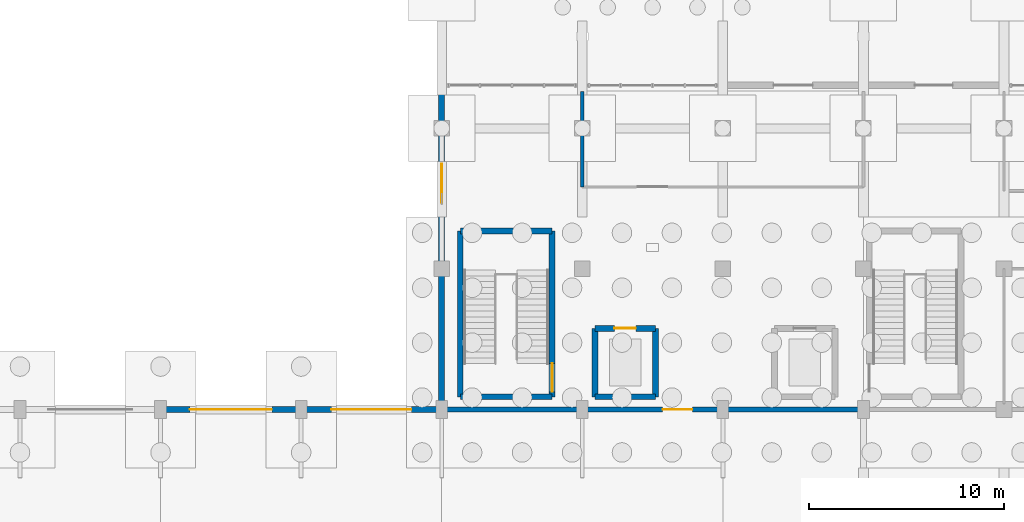
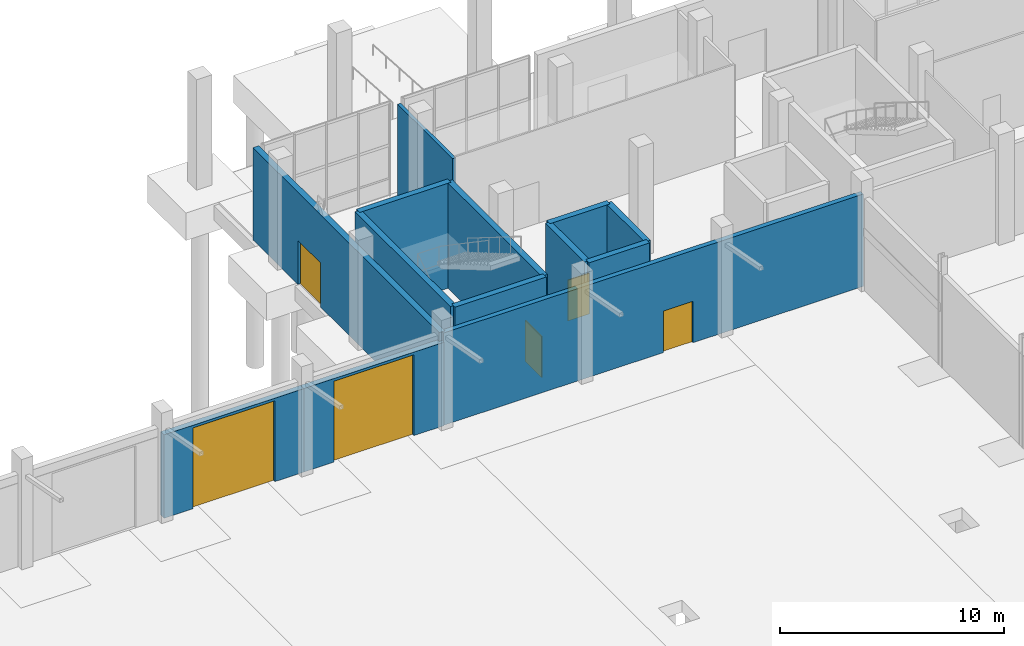
# One storey, part 34 of 45: 13 walls, 6 doors, 6 openings.
"""IFC4 building model written with IfcOpenShell, lengths in metres."""

from ifc_helpers import new_model, si_unit, direction, frame, frame_2d, origin, place, context, subcontext, project, spatial, rectangle, extrude, material, layer, layer_set, type_object, element, fill, save


model = new_model("IFC4")

# Units and contexts
model_context = context("Model", 3, precision=1e-05, world=origin(), true_north=direction((0.0, 1.0)))
body_context = subcontext(model_context, "Body", "Model", "MODEL_VIEW")
ifc_project = project(units=[si_unit("LENGTHUNIT", "METRE"), si_unit("AREAUNIT", "SQUARE_METRE"), si_unit("VOLUMEUNIT", "CUBIC_METRE"), si_unit("PLANEANGLEUNIT", "RADIAN"), si_unit("MASSUNIT", "GRAM", prefix="KILO")], contexts=[model_context])

# Site, building, storey
site_placement = place(None, origin())
site = spatial("IfcSite", under=ifc_project, at=site_placement, CompositionType="ELEMENT")
building_placement = place(site_placement, origin())
building = spatial("IfcBuilding", under=site, at=building_placement, Name="Yarey Park Central Fire Station", CompositionType="ELEMENT")
storey_placement = place(building_placement, origin())
storey = spatial("IfcBuildingStorey", under=building, at=storey_placement, Name="L01", CompositionType="ELEMENT", Elevation=0.0)

# Wall, opening, door
ifc_material_1 = material(Name="Concrete C35/45", Category="concrete")
ifc_layer_1 = layer(ifc_material_1, 0.304931640625)
ifc_layer_set_1 = layer_set([ifc_layer_1], Name="Concrete C35/45")
wall_type_1 = type_object("IfcWallType", Name="ENV_WALL_CMU305", PredefinedType="STANDARD", material=ifc_layer_set_1)
wall_1_placement = place(storey_placement, frame((100.800048828125, 93.60009765625, 0.0), z_axis=(0.0, 0.0, 1.0), x_axis=(1.0, 0.0, 0.0)))
wall_1 = element("IfcWall", 1, at=wall_1_placement, inside=storey, type_object=wall_type_1, Name="EW_L01_V2_N_07", PredefinedType="STANDARD", context=body_context, shape_type="SweptSolid", body=[
    extrude(rectangle(XDim=7.199951171875, YDim=0.304931640625, at=frame_2d((3.60009765625, 0.0))), origin(), (0.0, 0.0, 1.0), 4.5400390625),
])
opening_1_placement = place(wall_1_placement, frame((1.5, 0.0, 0.0)))
opening_1 = element("IfcOpeningElement", 2, at=opening_1_placement, cuts=wall_1, Name="Opening VD-42", PredefinedType="OPENING", context=body_context, shape_type="SweptSolid", body=[
    extrude(rectangle(XDim=4.199951171875, YDim=4.39990234375, at=frame_2d((2.10009765625, 2.199951171875))), frame((0.0, 0.162353515625, 0.0), z_axis=(0.0, -1.0, 0.0), x_axis=(1.0, 0.0, 0.0)), (0.0, 0.0, 1.0), 0.324951171875),
])
ifc_material_2 = material(Name="Anodized Aluminium Frame", Category="aluminium")
door_type_1 = type_object("IfcDoorType", Name="ENV_GATE_VD4200", OperationType="NOTDEFINED", PredefinedType="GATE", material=ifc_material_2)
door_1_placement = place(opening_1_placement, origin())
door_1 = element("IfcDoor", 3, at=door_1_placement, inside=storey, type_object=door_type_1, Name="GATE_VD_07", OperationType="FOLDING_TO_LEFT", OverallHeight=4.39990234375, OverallWidth=4.199951171875, PredefinedType="GATE", context=body_context, shape_type="SweptSolid", body=[
    extrude(rectangle(XDim=4.199951171875, YDim=4.39990234375, at=frame_2d((2.10009765625, 2.199951171875))), frame((0.0, 0.02490234375, 0.0), z_axis=(0.0, -1.0, 0.0), x_axis=(1.0, 0.0, 0.0)), (0.0, 0.0, 1.0), 0.050048828125),
])
fill(opening_1, door_1)

wall_2_placement = place(storey_placement, frame((108.0, 93.60009765625, 0.0), z_axis=(0.0, 0.0, 1.0), x_axis=(1.0, 0.0, 0.0)))
wall_2 = element("IfcWall", 4, at=wall_2_placement, inside=storey, type_object=wall_type_1, Name="EW_L01_V2_N_08", PredefinedType="STANDARD", context=body_context, shape_type="SweptSolid", body=[
    extrude(rectangle(XDim=7.199951171875, YDim=0.304931640625, at=frame_2d((3.60009765625, 0.0))), origin(), (0.0, 0.0, 1.0), 4.5400390625),
])
opening_2_placement = place(wall_2_placement, frame((1.550048828125, 0.0, 0.0)))
opening_2 = element("IfcOpeningElement", 5, at=opening_2_placement, cuts=wall_2, Name="Opening VD-41", PredefinedType="OPENING", context=body_context, shape_type="SweptSolid", body=[
    extrude(rectangle(XDim=4.10009765625, YDim=4.39990234375, at=frame_2d((2.050048828125, 2.199951171875))), frame((0.0, 0.162353515625, 0.0), z_axis=(0.0, -1.0, 0.0), x_axis=(1.0, 0.0, 0.0)), (0.0, 0.0, 1.0), 0.324951171875),
])
door_type_2 = type_object("IfcDoorType", Name="ENV_GATE_VD4100", OperationType="NOTDEFINED", PredefinedType="GATE", material=ifc_material_2)
door_2_placement = place(opening_2_placement, origin())
door_2 = element("IfcDoor", 6, at=door_2_placement, inside=storey, type_object=door_type_2, Name="GATE_VD_08", OperationType="FOLDING_TO_LEFT", OverallHeight=4.39990234375, OverallWidth=4.10009765625, PredefinedType="GATE", context=body_context, shape_type="SweptSolid", body=[
    extrude(rectangle(XDim=4.10009765625, YDim=4.39990234375, at=frame_2d((2.050048828125, 2.199951171875))), frame((0.0, 0.02490234375, 0.0), z_axis=(0.0, -1.0, 0.0), x_axis=(1.0, 0.0, 0.0)), (0.0, 0.0, 1.0), 0.050048828125),
])
fill(opening_2, door_2)

wall_3_placement = place(storey_placement, frame((115.199951171875, 93.60009765625, 0.0), z_axis=(0.0, 0.0, 1.0), x_axis=(0.0, 1.0, 0.0)))
wall_3 = element("IfcWall", 7, at=wall_3_placement, inside=storey, type_object=wall_type_1, Name="EW_L01_V4_W", PredefinedType="STANDARD", context=body_context, shape_type="SweptSolid", body=[
    extrude(rectangle(XDim=16.599853515625, YDim=0.304931640625, at=frame_2d((8.2998046875, 0.0))), origin(), (0.0, 0.0, 1.0), 5.02197265625),
])
opening_3_placement = place(wall_3_placement, frame((10.60009765625, 0.0, 0.0)))
opening_3 = element("IfcOpeningElement", 8, at=opening_3_placement, cuts=wall_3, Name="Opening ED-200", PredefinedType="OPENING", context=body_context, shape_type="SweptSolid", body=[
    extrude(rectangle(XDim=2.0, YDim=2.39990234375, at=frame_2d((1.0, 1.199951171875))), frame((0.0, 0.162353515625, 0.0), z_axis=(0.0, -1.0, 0.0), x_axis=(1.0, 0.0, 0.0)), (0.0, 0.0, 1.0), 0.324951171875),
])
ifc_material_3 = material(Name="Galvanized Hollow Metal Door", Category="metal")
door_type_3 = type_object("IfcDoorType", Name="ENV_DOOR_EX2000", OperationType="NOTDEFINED", PredefinedType="DOOR", material=ifc_material_3)
door_3_placement = place(opening_3_placement, origin())
door_3 = element("IfcDoor", 9, at=door_3_placement, inside=storey, type_object=door_type_3, Name="DOOR_L01_EX_E01", OperationType="SINGLE_SWING_RIGHT", OverallHeight=2.39990234375, OverallWidth=2.0, PredefinedType="DOOR", context=body_context, shape_type="SweptSolid", body=[
    extrude(rectangle(XDim=2.0, YDim=2.39990234375, at=frame_2d((1.0, 1.199951171875))), frame((0.0, 0.02490234375, 0.0), z_axis=(0.0, -1.0, 0.0), x_axis=(1.0, 0.0, 0.0)), (0.0, 0.0, 1.0), 0.050048828125),
])
fill(opening_3, door_3)

# Wall
ifc_material_4 = material(Name="Concrete C40/50", Category="concrete")
ifc_layer_2 = layer(ifc_material_4, 0.27001953125)
ifc_layer_set_2 = layer_set([ifc_layer_2], Name="Concrete C40/50")
wall_type_2 = type_object("IfcWallType", Name="INT_CORE_RC270", PredefinedType="SHEAR", material=ifc_layer_set_2)
wall_4_placement = place(storey_placement, frame((123.050048828125, 94.25, 0.0), z_axis=(0.0, 0.0, 1.0), x_axis=(1.0, 0.0, 0.0)))
element("IfcWall", 10, at=wall_4_placement, inside=storey, type_object=wall_type_2, Name="LWALL_C1_L01_S", PredefinedType="SHEAR", context=body_context, shape_type="SweptSolid", body=[
    extrude(rectangle(XDim=3.099853515625, YDim=0.300048828125, at=frame_2d((1.5498046875, 0.0))), origin(), (0.0, 0.0, 1.0), 5.715087890625),
])

# Wall, opening, door
wall_5_placement = place(storey_placement, frame((126.14990234375, 97.75, 0.0), z_axis=(0.0, 0.0, 1.0), x_axis=(-1.0, 0.0, 0.0)))
wall_5 = element("IfcWall", 11, at=wall_5_placement, inside=storey, type_object=wall_type_2, Name="LWALL_C1_L01_N", PredefinedType="SHEAR", context=body_context, shape_type="SweptSolid", body=[
    extrude(rectangle(XDim=3.099853515625, YDim=0.300048828125, at=frame_2d((1.5498046875, 0.0))), origin(), (0.0, 0.0, 1.0), 5.715087890625),
])
opening_4_placement = place(wall_5_placement, frame((1.0, 0.0, 0.0)))
opening_4 = element("IfcOpeningElement", 12, at=opening_4_placement, cuts=wall_5, Name="Opening LD-11", PredefinedType="OPENING", context=body_context, shape_type="SweptSolid", body=[
    extrude(rectangle(XDim=1.10009765625, YDim=2.219970703125, at=frame_2d((0.550048828125, 1.10986328125))), frame((0.0, 0.159912109375, 0.0), z_axis=(0.0, -1.0, 0.0), x_axis=(1.0, 0.0, 0.0)), (0.0, 0.0, 1.0), 0.320068359375),
])
ifc_material_5 = material(Name="Stainless Steel AISI 316L", Category="steel")
door_type_4 = type_object("IfcDoorType", Name="DR_LD_1100", OperationType="NOTDEFINED", PredefinedType="DOOR", material=ifc_material_5)
door_4_placement = place(opening_4_placement, origin())
door_4 = element("IfcDoor", 13, at=door_4_placement, inside=storey, type_object=door_type_4, Name="Lift Landing Door LF-1-L01", OperationType="SLIDING_TO_LEFT", OverallHeight=2.219970703125, OverallWidth=1.10009765625, PredefinedType="DOOR", context=body_context, shape_type="SweptSolid", body=[
    extrude(rectangle(XDim=1.10009765625, YDim=2.219970703125, at=frame_2d((0.550048828125, 1.10986328125))), frame((0.0, 0.02490234375, 0.0), z_axis=(0.0, -1.0, 0.0), x_axis=(1.0, 0.0, 0.0)), (0.0, 0.0, 1.0), 0.050048828125),
])
fill(opening_4, door_4)

# Walls
for number, where, z_axis, x_axis, name in (
    (14, (123.050048828125, 97.75, 0.0), (0.0, 0.0, 1.0), (0.0, -1.0, 0.0), "LWALL_C1_L01_W"),
    (15, (126.14990234375, 94.25, 0.0), (0.0, 0.0, 1.0), (0.0, 1.0, 0.0), "LWALL_C1_L01_E"),
):
    element("IfcWall", number, at=place(storey_placement, frame(where, z_axis=z_axis, x_axis=x_axis)), inside=storey, type_object=wall_type_2, Name=name, PredefinedType="SHEAR", context=body_context, shape_type="SweptSolid", body=[
        extrude(rectangle(XDim=3.5, YDim=0.300048828125, at=frame_2d((1.75, 0.0))), origin(), (0.0, 0.0, 1.0), 5.715087890625),
    ])
ifc_layer_3 = layer(ifc_material_4, 0.300048828125)
ifc_layer_set_3 = layer_set([ifc_layer_3], Name="Concrete C40/50")
wall_type_3 = type_object("IfcWallType", Name="INT_CORE_RC300", PredefinedType="SHEAR", material=ifc_layer_set_3)
for number, where, z_axis, x_axis, name in (
    (16, (116.14990234375, 94.25, 0.0), (0.0, 0.0, 1.0), (1.0, 0.0, 0.0), "CWALL_C1_L01_S"),
    (17, (120.85009765625, 102.75, 0.0), (0.0, 0.0, 1.0), (-1.0, 0.0, 0.0), "CWALL_C1_L01_N"),
):
    element("IfcWall", number, at=place(storey_placement, frame(where, z_axis=z_axis, x_axis=x_axis)), inside=storey, type_object=wall_type_3, Name=name, PredefinedType="SHEAR", context=body_context, shape_type="SweptSolid", body=[
        extrude(rectangle(XDim=4.7001953125, YDim=0.300048828125, at=frame_2d((2.35009765625, 0.0))), origin(), (0.0, 0.0, 1.0), 5.715087890625),
    ])
wall_6_placement = place(storey_placement, frame((116.14990234375, 94.25, 0.0), z_axis=(0.0, 0.0, 1.0), x_axis=(0.0, 1.0, 0.0)))
element("IfcWall", 18, at=wall_6_placement, inside=storey, type_object=wall_type_3, Name="CWALL_C1_L01_W", PredefinedType="SHEAR", context=body_context, shape_type="SweptSolid", body=[
    extrude(rectangle(XDim=8.5, YDim=0.300048828125, at=frame_2d((4.25, 0.0))), origin(), (0.0, 0.0, 1.0), 5.715087890625),
])

# Wall, opening, door
wall_7_placement = place(storey_placement, frame((120.85009765625, 102.75, 0.0), z_axis=(0.0, 0.0, 1.0), x_axis=(0.0, -1.0, 0.0)))
wall_7 = element("IfcWall", 19, at=wall_7_placement, inside=storey, type_object=wall_type_3, Name="CWALL_C1_L01_E", PredefinedType="SHEAR", context=body_context, shape_type="SweptSolid", body=[
    extrude(rectangle(XDim=8.5, YDim=0.300048828125, at=frame_2d((4.25, 0.0))), origin(), (0.0, 0.0, 1.0), 5.715087890625),
])
opening_5_placement = place(wall_7_placement, frame((6.7900390625, 0.0, 0.0)))
opening_5 = element("IfcOpeningElement", 20, at=opening_5_placement, cuts=wall_7, Name="Opening SD-146", PredefinedType="OPENING", context=body_context, shape_type="SweptSolid", body=[
    extrude(rectangle(XDim=1.4599609375, YDim=2.239990234375, at=frame_2d((0.72998046875, 1.1201171875))), frame((0.0, 0.159912109375, 0.0), z_axis=(0.0, -1.0, 0.0), x_axis=(1.0, 0.0, 0.0)), (0.0, 0.0, 1.0), 0.320068359375),
])
door_type_5 = type_object("IfcDoorType", Name="DR_STAIR_1460", OperationType="NOTDEFINED", PredefinedType="DOOR", material=ifc_material_3)
door_5_placement = place(opening_5_placement, origin())
door_5 = element("IfcDoor", 21, at=door_5_placement, inside=storey, type_object=door_type_5, Name="DOOR_STAIR_C1_L01", OperationType="SINGLE_SWING_LEFT", OverallHeight=2.239990234375, OverallWidth=1.4599609375, PredefinedType="DOOR", context=body_context, shape_type="SweptSolid", body=[
    extrude(rectangle(XDim=1.4599609375, YDim=2.239990234375, at=frame_2d((0.72998046875, 1.1201171875))), frame((0.0, 0.02490234375, 0.0), z_axis=(0.0, -1.0, 0.0), x_axis=(1.0, 0.0, 0.0)), (0.0, 0.0, 1.0), 0.050048828125),
])
fill(opening_5, door_5)

# Wall
ifc_material_6 = material(Name="Gypsum Shaftliner Assembly", Category="gypsum")
ifc_layer_4 = layer(ifc_material_6, 0.169921875)
ifc_layer_set_4 = layer_set([ifc_layer_4], Name="Gypsum Shaftliner Assembly")
wall_type_4 = type_object("IfcWallType", Name="INT_WALL_AC170", PredefinedType="STANDARD", material=ifc_layer_set_4)
wall_8_placement = place(storey_placement, frame((122.39990234375, 109.89990234375, 0.0), z_axis=(0.0, 0.0, 1.0), x_axis=(0.0, -1.0, 0.0)))
element("IfcWall", 22, at=wall_8_placement, inside=storey, type_object=wall_type_4, Name="PART_SPC_L01_PUBDESK_WEST", PredefinedType="STANDARD", context=body_context, shape_type="SweptSolid", body=[
    extrude(rectangle(XDim=4.89990234375, YDim=0.169921875, at=frame_2d((2.449951171875, 0.0))), origin(), (0.0, 0.0, 1.0), 5.02197265625),
])

# Wall, opening, door
ifc_layer_5 = layer(ifc_material_1, 0.2451171875)
ifc_layer_set_5 = layer_set([ifc_layer_5], Name="Concrete C35/45")
wall_type_5 = type_object("IfcWallType", Name="INT_WALL_FB245", PredefinedType="STANDARD", material=ifc_layer_set_5)
wall_9_placement = place(storey_placement, frame((115.199951171875, 93.60009765625, 0.0), z_axis=(0.0, 0.0, 1.0), x_axis=(1.0, 0.0, 0.0)))
wall_9 = element("IfcWall", 23, at=wall_9_placement, inside=storey, type_object=wall_type_5, Name="IW_L01_V2_V4", PredefinedType="STANDARD", context=body_context, shape_type="SweptSolid", body=[
    extrude(rectangle(XDim=21.60009765625, YDim=0.2451171875, at=frame_2d((10.800048828125, 0.0))), origin(), (0.0, 0.0, 1.0), 5.02197265625),
])
opening_6_placement = place(wall_9_placement, frame((11.320068359375, 0.0, 0.0)))
opening_6 = element("IfcOpeningElement", 24, at=opening_6_placement, cuts=wall_9, Name="Opening FD-152", PredefinedType="OPENING", context=body_context, shape_type="SweptSolid", body=[
    extrude(rectangle(XDim=1.52001953125, YDim=2.260009765625, at=frame_2d((0.760009765625, 1.1298828125))), frame((0.0, 0.132568359375, 0.0), z_axis=(0.0, -1.0, 0.0), x_axis=(1.0, 0.0, 0.0)), (0.0, 0.0, 1.0), 0.26513671875),
])
door_type_6 = type_object("IfcDoorType", Name="DR_FD_1520", OperationType="NOTDEFINED", PredefinedType="DOOR", material=ifc_material_3)
door_6_placement = place(opening_6_placement, origin())
door_6 = element("IfcDoor", 25, at=door_6_placement, inside=storey, type_object=door_type_6, Name="DOOR_IW_L01_V2_V4", OperationType="SINGLE_SWING_RIGHT", OverallHeight=2.260009765625, OverallWidth=1.52001953125, PredefinedType="DOOR", context=body_context, shape_type="SweptSolid", body=[
    extrude(rectangle(XDim=1.52001953125, YDim=2.260009765625, at=frame_2d((0.760009765625, 1.1298828125))), frame((0.0, 0.02490234375, 0.0), z_axis=(0.0, -1.0, 0.0), x_axis=(1.0, 0.0, 0.0)), (0.0, 0.0, 1.0), 0.050048828125),
])
fill(opening_6, door_6)

save(model, "model.ifc")
